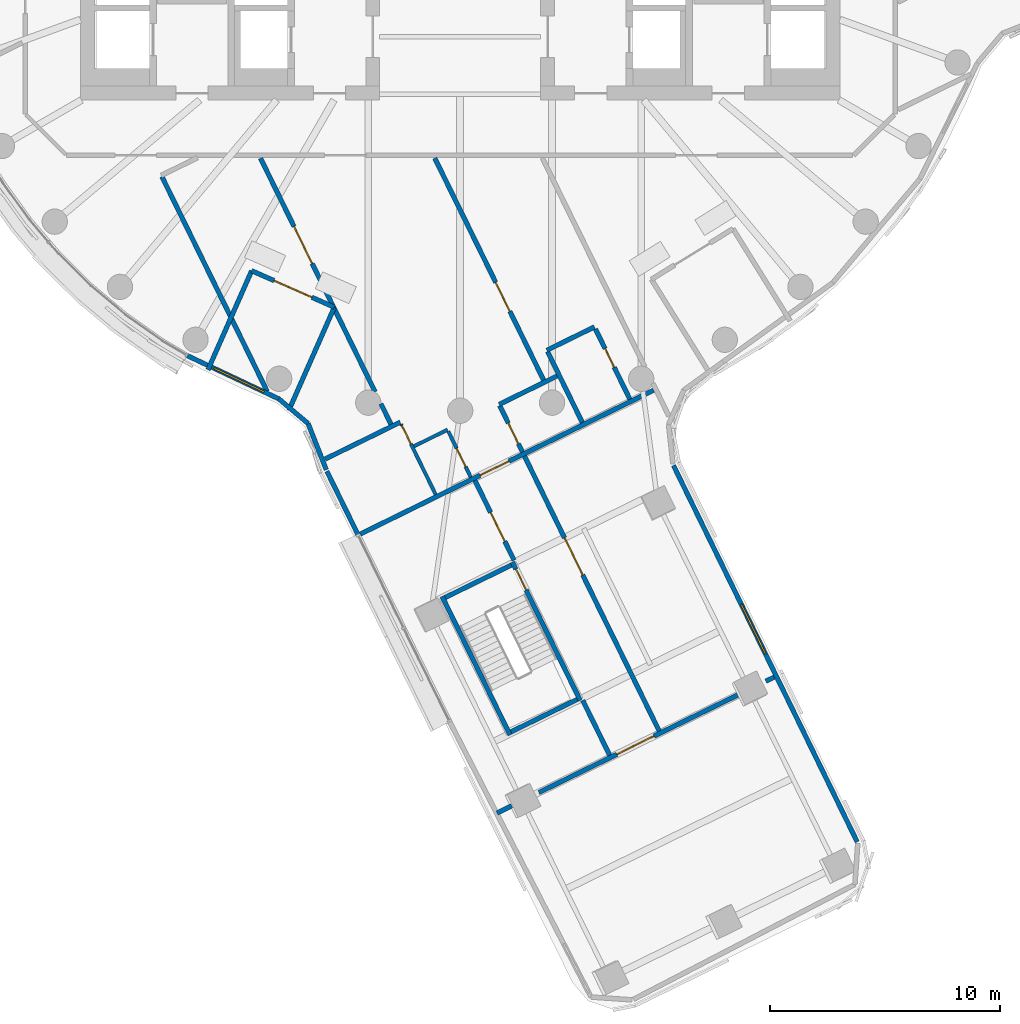
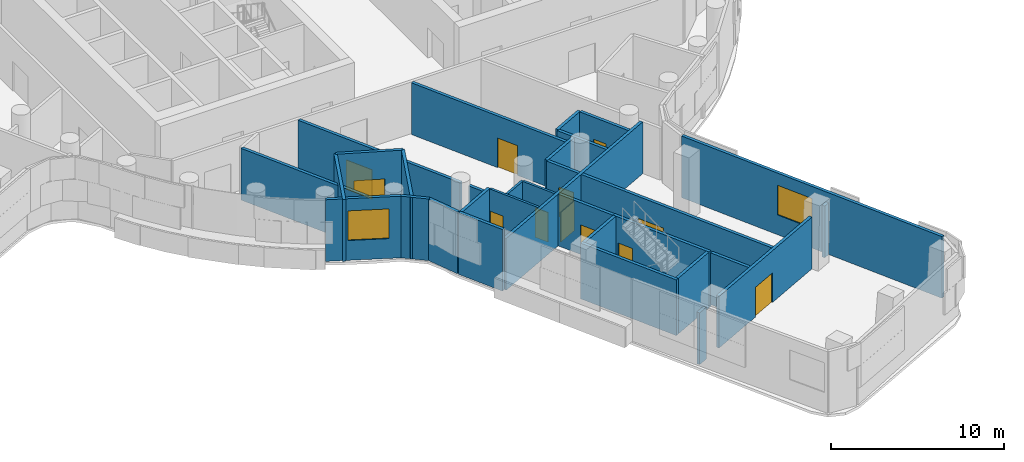
# One storey, part 10 of 23: 31 walls, 12 doors, 2 windows, 14 openings.
"""IFC4 building model written with IfcOpenShell, lengths in metres."""

from ifc_helpers import new_model, si_unit, direction, frame, frame_2d, origin, place, context, subcontext, project, spatial, polyline, rectangle, outline, extrude, material, layer, layer_set, type_object, element, fill, save


model = new_model("IFC4")

# Units and contexts
model_context = context("Model", 3, precision=1e-05, world=origin(), true_north=direction((0.0, 1.0)))
body_context = subcontext(model_context, "Body", "Model", "MODEL_VIEW")
ifc_project = project(units=[si_unit("LENGTHUNIT", "METRE"), si_unit("AREAUNIT", "SQUARE_METRE"), si_unit("VOLUMEUNIT", "CUBIC_METRE"), si_unit("PLANEANGLEUNIT", "RADIAN"), si_unit("MASSUNIT", "GRAM", prefix="KILO")], contexts=[model_context])

# Site, building, storey
site_placement = place(None, origin())
site = spatial("IfcSite", under=ifc_project, at=site_placement, CompositionType="ELEMENT")
building_placement = place(site_placement, origin())
building = spatial("IfcBuilding", under=site, at=building_placement, Name="Tamarind Cross Interchange Tower", CompositionType="ELEMENT")
storey_placement = place(building_placement, frame((0.0, 0.0, 128.5)))
storey = spatial("IfcBuildingStorey", under=building, at=storey_placement, Name="L31", CompositionType="ELEMENT", Elevation=128.5)

# Wall, opening, door
ifc_material_1 = material(Name="Concrete C40", Category="concrete")
ifc_layer_1 = layer(ifc_material_1, 0.199951171875)
ifc_layer_set_1 = layer_set([ifc_layer_1], Name="Concrete C40")
wall_type_1 = type_object("IfcWallType", Name="Balcony and garden door wall", PredefinedType="SOLIDWALL", material=ifc_layer_set_1)
wall_1_placement = place(storey_placement, frame((-9.061279296875, -16.91796875, 0.0), z_axis=(0.0, 0.0, 1.0), x_axis=(0.914869848832, -0.403748881978, 0.0)))
wall_1 = element("IfcWall", 1, at=wall_1_placement, inside=storey, type_object=wall_type_1, Name="EXW-L31-WG-L31-WS", PredefinedType="SOLIDWALL", context=body_context, shape_type="SweptSolid", body=[
    extrude(rectangle(XDim=3.9267578125, YDim=0.199951171875, at=frame_2d((1.96337890625, 0.0))), origin(), (0.0, 0.0, 1.0), 4.360107421875),
])
opening_1_placement = place(wall_1_placement, frame((1.0634765625, 0.0, 0.0)))
opening_1 = element("IfcOpeningElement", 2, at=opening_1_placement, cuts=wall_1, Name="Opening D5", PredefinedType="OPENING", context=body_context, shape_type="SweptSolid", body=[
    extrude(rectangle(XDim=1.800048828125, YDim=2.39990234375, at=frame_2d((0.89990234375, 1.199951171875))), frame((0.0, 0.10986328125, 0.0), z_axis=(0.0, -1.0, 0.0), x_axis=(1.0, 0.0, 0.0)), (0.0, 0.0, 1.0), 0.219970703125),
])
ifc_material_2 = material(Name="Aluminium and toughened glass", Category="aluminium")
door_type_1 = type_object("IfcDoorType", Name="Roof garden door", OperationType="DOUBLE_DOOR_SINGLE_SWING", PredefinedType="DOOR", material=ifc_material_2)
door_1_placement = place(opening_1_placement, origin())
door_1 = element("IfcDoor", 3, at=door_1_placement, inside=storey, type_object=door_type_1, Name="DOR-L31-WG-L31-WS", OperationType="SINGLE_SWING_LEFT", OverallHeight=2.39990234375, OverallWidth=1.800048828125, PredefinedType="DOOR", context=body_context, shape_type="SweptSolid", body=[
    extrude(rectangle(XDim=1.800048828125, YDim=2.39990234375, at=frame_2d((0.89990234375, 1.199951171875))), frame((0.0, 0.02490234375, 0.0), z_axis=(0.0, -1.0, 0.0), x_axis=(1.0, 0.0, 0.0)), (0.0, 0.0, 1.0), 0.050048828125),
])
fill(opening_1, door_1)

# Walls
wall_2_placement = place(storey_placement, frame((-9.0615234375, -16.91796875, 0.0), z_axis=(0.0, 0.0, 1.0), x_axis=(-0.403733506443, -0.914876634184, 0.0)))
element("IfcWall", 4, at=wall_2_placement, inside=storey, type_object=wall_type_1, Name="EXW-L31-WG-L31-WS-R0", PredefinedType="SOLIDWALL", context=body_context, shape_type="SweptSolid", body=[
    extrude(rectangle(XDim=4.702880859375, YDim=0.199951171875, at=frame_2d((2.3515625, 0.0))), origin(), (0.0, 0.0, 1.0), 4.360107421875),
])
wall_3_placement = place(storey_placement, frame((-5.468505859375, -18.50341796875, 0.0), z_axis=(0.0, 0.0, 1.0), x_axis=(-0.403691721509, -0.914895072664, 0.0)))
element("IfcWall", 5, at=wall_3_placement, inside=storey, type_object=wall_type_1, Name="EXW-L31-WG-L31-WS-R1", PredefinedType="SOLIDWALL", context=body_context, shape_type="SweptSolid", body=[
    extrude(rectangle(XDim=4.900390625, YDim=0.199951171875, at=frame_2d((2.4501953125, 0.0))), origin(), (0.0, 0.0, 1.0), 4.360107421875),
])

# Wall, opening, door
ifc_material_3 = material(Name="Gypsum board partition on steel studs", Category="steel")
ifc_layer_2 = layer(ifc_material_3, 0.14990234375)
ifc_layer_set_2 = layer_set([ifc_layer_2], Name="Gypsum board partition on steel studs")
wall_type_2 = type_object("IfcWallType", Name="Partition 150 mm EI 120", PredefinedType="PARTITIONING", material=ifc_layer_set_2)
wall_4_placement = place(storey_placement, frame((-2.56201171875, -23.58984375, 0.0), z_axis=(0.0, 0.0, 1.0), x_axis=(0.440221907821, -0.897889008661, 0.0)))
wall_4 = element("IfcWall", 6, at=wall_4_placement, inside=storey, type_object=wall_type_2, Name="Partition L31-015", PredefinedType="PARTITIONING", context=body_context, shape_type="SweptSolid", body=[
    extrude(rectangle(XDim=3.400634765625, YDim=0.14990234375, at=frame_2d((1.7001953125, 0.0))), origin(), (0.0, 0.0, 1.0), 3.659912109375),
])
opening_2_placement = place(wall_4_placement, frame((0.050048828125, 0.0, 0.0)))
opening_2 = element("IfcOpeningElement", 7, at=opening_2_placement, cuts=wall_4, Name="Opening D07", PredefinedType="OPENING", context=body_context, shape_type="SweptSolid", body=[
    extrude(rectangle(XDim=0.89990234375, YDim=2.10009765625, at=frame_2d((0.449951171875, 1.050048828125))), frame((0.0, 0.0849609375, 0.0), z_axis=(0.0, -1.0, 0.0), x_axis=(1.0, 0.0, 0.0)), (0.0, 0.0, 1.0), 0.169921875),
])
ifc_material_4 = material(Name="Fire-resisting door set")
door_type_2 = type_object("IfcDoorType", Name="Interior door 900 x 2100 FD60S", OperationType="SINGLE_SWING_LEFT", PredefinedType="DOOR", material=ifc_material_4)
door_2_placement = place(opening_2_placement, frame((0.89990234375, 0.0, 0.0), z_axis=(0.0, 0.0, 1.0), x_axis=(-1.0, 0.0, 0.0)))
door_2 = element("IfcDoor", 8, at=door_2_placement, inside=storey, type_object=door_type_2, Name="Door D07", OperationType="SINGLE_SWING_LEFT", OverallHeight=2.10009765625, OverallWidth=0.89990234375, PredefinedType="DOOR", context=body_context, shape_type="SweptSolid", body=[
    extrude(rectangle(XDim=0.89990234375, YDim=2.10009765625, at=frame_2d((0.449951171875, 1.050048828125))), frame((0.0, 0.02490234375, 0.0), z_axis=(0.0, -1.0, 0.0), x_axis=(1.0, 0.0, 0.0)), (0.0, 0.0, 1.0), 0.050048828125),
])
fill(opening_2, door_2)

wall_5_placement = place(storey_placement, frame((-0.51806640625, -23.896240234375, 0.0), z_axis=(0.0, 0.0, 1.0), x_axis=(0.440354919773, -0.897823782616, 0.0)))
wall_5 = element("IfcWall", 9, at=wall_5_placement, inside=storey, type_object=wall_type_2, Name="Partition L31-017", PredefinedType="PARTITIONING", context=body_context, shape_type="SweptSolid", body=[
    extrude(rectangle(XDim=2.225341796875, YDim=0.14990234375, at=frame_2d((1.11279296875, 0.0))), origin(), (0.0, 0.0, 1.0), 3.659912109375),
])
opening_3_placement = place(wall_5_placement, frame((0.824951171875, 0.0, 0.0)))
opening_3 = element("IfcOpeningElement", 10, at=opening_3_placement, cuts=wall_5, Name="Opening D09", PredefinedType="OPENING", context=body_context, shape_type="SweptSolid", body=[
    extrude(rectangle(XDim=0.89990234375, YDim=2.10009765625, at=frame_2d((0.449951171875, 1.050048828125))), frame((0.0, 0.0849609375, 0.0), z_axis=(0.0, -1.0, 0.0), x_axis=(1.0, 0.0, 0.0)), (0.0, 0.0, 1.0), 0.169921875),
])
door_3_placement = place(opening_3_placement, frame((0.89990234375, 0.0, 0.0), z_axis=(0.0, 0.0, 1.0), x_axis=(-1.0, 0.0, 0.0)))
door_3 = element("IfcDoor", 11, at=door_3_placement, inside=storey, type_object=door_type_2, Name="Door D09", OperationType="SINGLE_SWING_RIGHT", OverallHeight=2.10009765625, OverallWidth=0.89990234375, PredefinedType="DOOR", context=body_context, shape_type="SweptSolid", body=[
    extrude(rectangle(XDim=0.89990234375, YDim=2.10009765625, at=frame_2d((0.449951171875, 1.050048828125))), frame((0.0, 0.02490234375, 0.0), z_axis=(0.0, -1.0, 0.0), x_axis=(1.0, 0.0, 0.0)), (0.0, 0.0, 1.0), 0.050048828125),
])
fill(opening_3, door_3)

# Walls
wall_6_placement = place(storey_placement, frame((-2.009765625, -24.544921875, 0.0), z_axis=(0.0, 0.0, 1.0), x_axis=(0.897737840771, 0.440530100275, 0.0)))
element("IfcWall", 12, at=wall_6_placement, inside=storey, type_object=wall_type_2, Name="Partition L31-054", PredefinedType="PARTITIONING", context=body_context, shape_type="SweptSolid", body=[
    extrude(rectangle(XDim=1.625, YDim=0.14990234375, at=frame_2d((0.8125, 0.0))), origin(), (0.0, 0.0, 1.0), 3.659912109375),
])
ifc_layer_3 = layer(ifc_material_3, 0.199951171875)
ifc_layer_set_3 = layer_set([ifc_layer_3], Name="Gypsum board partition on steel studs")
wall_type_3 = type_object("IfcWallType", Name="Partition 200 mm EI 180", PredefinedType="PARTITIONING", material=ifc_layer_set_3)
wall_7_placement = place(storey_placement, frame((-12.960693359375, -12.829833984375, 0.0), z_axis=(0.0, 0.0, 1.0), x_axis=(0.44020582269, -0.897896894788, 0.0)))
element("IfcWall", 13, at=wall_7_placement, inside=storey, type_object=wall_type_3, Name="Partition L31-005", PredefinedType="PARTITIONING", context=body_context, shape_type="SweptSolid", body=[
    extrude(rectangle(XDim=10.402099609375, YDim=0.199951171875, at=frame_2d((5.201171875, 0.0))), origin(), (0.0, 0.0, 1.0), 3.659912109375),
])

# Wall, opening, door
wall_8_placement = place(storey_placement, frame((-8.677490234375, -12.025634765625, 0.0), z_axis=(0.0, 0.0, 1.0), x_axis=(0.440258895861, -0.897870873018, 0.0)))
wall_8 = element("IfcWall", 14, at=wall_8_placement, inside=storey, type_object=wall_type_3, Name="Partition L31-008", PredefinedType="PARTITIONING", context=body_context, shape_type="SweptSolid", body=[
    extrude(rectangle(XDim=11.3115234375, YDim=0.199951171875, at=frame_2d((5.65576171875, 0.0))), origin(), (0.0, 0.0, 1.0), 3.659912109375),
])
opening_4_placement = place(wall_8_placement, frame((3.31005859375, 0.0, 0.0)))
opening_4 = element("IfcOpeningElement", 15, at=opening_4_placement, cuts=wall_8, Name="Opening D03", PredefinedType="OPENING", context=body_context, shape_type="SweptSolid", body=[
    extrude(rectangle(XDim=1.800048828125, YDim=2.10009765625, at=frame_2d((0.89990234375, 1.050048828125))), frame((0.0, 0.10986328125, 0.0), z_axis=(0.0, -1.0, 0.0), x_axis=(1.0, 0.0, 0.0)), (0.0, 0.0, 1.0), 0.219970703125),
])
door_type_3 = type_object("IfcDoorType", Name="Interior door 1800 x 2100 FD120S", OperationType="DOUBLE_DOOR_SINGLE_SWING", PredefinedType="DOOR", material=ifc_material_4)
door_4_placement = place(opening_4_placement, frame((1.800048828125, 0.0, 0.0), z_axis=(0.0, 0.0, 1.0), x_axis=(-1.0, 0.0, 0.0)))
door_4 = element("IfcDoor", 16, at=door_4_placement, inside=storey, type_object=door_type_3, Name="Door D03", OperationType="DOUBLE_DOOR_SINGLE_SWING", OverallHeight=2.10009765625, OverallWidth=1.800048828125, PredefinedType="DOOR", context=body_context, shape_type="SweptSolid", body=[
    extrude(rectangle(XDim=1.800048828125, YDim=2.10009765625, at=frame_2d((0.89990234375, 1.050048828125))), frame((0.0, 0.02490234375, 0.0), z_axis=(0.0, -1.0, 0.0), x_axis=(1.0, 0.0, 0.0)), (0.0, 0.0, 1.0), 0.050048828125),
])
fill(opening_4, door_4)

# Wall
wall_9_placement = place(storey_placement, frame((-3.44580078125, -22.6953125, 0.0), z_axis=(0.0, 0.0, 1.0), x_axis=(0.440211677145, -0.89789402454, 0.0)))
element("IfcWall", 17, at=wall_9_placement, inside=storey, type_object=wall_type_3, Name="Partition L31-009", PredefinedType="PARTITIONING", context=body_context, shape_type="SweptSolid", body=[
    extrude(rectangle(XDim=0.9921875, YDim=0.199951171875, at=frame_2d((0.49609375, 0.0))), origin(), (0.0, 0.0, 1.0), 3.659912109375),
])

# Wall, opening, door
wall_10_placement = place(storey_placement, frame((-1.1044921875, -12.025634765625, 0.0), z_axis=(0.0, 0.0, 1.0), x_axis=(0.44028770211, -0.897856747689, 0.0)))
wall_10 = element("IfcWall", 18, at=wall_10_placement, inside=storey, type_object=wall_type_3, Name="Partition L31-016", PredefinedType="PARTITIONING", context=body_context, shape_type="SweptSolid", body=[
    extrude(rectangle(XDim=10.73681640625, YDim=0.199951171875, at=frame_2d((5.368408203125, 0.0))), origin(), (0.0, 0.0, 1.0), 3.659912109375),
])
opening_5_placement = place(wall_10_placement, frame((6.010009765625, 0.0, 0.0)))
opening_5 = element("IfcOpeningElement", 19, at=opening_5_placement, cuts=wall_10, Name="Opening D08", PredefinedType="OPENING", context=body_context, shape_type="SweptSolid", body=[
    extrude(rectangle(XDim=1.39990234375, YDim=2.10009765625, at=frame_2d((0.699951171875, 1.050048828125))), frame((0.0, 0.10986328125, 0.0), z_axis=(0.0, -1.0, 0.0), x_axis=(1.0, 0.0, 0.0)), (0.0, 0.0, 1.0), 0.219970703125),
])
door_type_4 = type_object("IfcDoorType", Name="Interior door 1400 x 2100 FD120S", OperationType="DOUBLE_DOOR_SINGLE_SWING", PredefinedType="DOOR", material=ifc_material_4)
door_5_placement = place(opening_5_placement, origin())
door_5 = element("IfcDoor", 20, at=door_5_placement, inside=storey, type_object=door_type_4, Name="Door D08", OperationType="DOUBLE_DOOR_SINGLE_SWING", OverallHeight=2.10009765625, OverallWidth=1.39990234375, PredefinedType="DOOR", context=body_context, shape_type="SweptSolid", body=[
    extrude(rectangle(XDim=1.39990234375, YDim=2.10009765625, at=frame_2d((0.699951171875, 1.050048828125))), frame((0.0, 0.02490234375, 0.0), z_axis=(0.0, -1.0, 0.0), x_axis=(1.0, 0.0, 0.0)), (0.0, 0.0, 1.0), 0.050048828125),
])
fill(opening_5, door_5)

wall_11_placement = place(storey_placement, frame((0.639892578125, -26.02978515625, 0.0), z_axis=(0.0, 0.0, 1.0), x_axis=(0.440242212753, -0.897879053164, 0.0)))
wall_11 = element("IfcWall", 21, at=wall_11_placement, inside=storey, type_object=wall_type_3, Name="Partition L31-018", PredefinedType="PARTITIONING", context=body_context, shape_type="SweptSolid", body=[
    extrude(rectangle(XDim=3.859619140625, YDim=0.199951171875, at=frame_2d((1.9296875, 0.0))), origin(), (0.0, 0.0, 1.0), 3.659912109375),
])
opening_6_placement = place(wall_11_placement, frame((1.550048828125, 0.0, 0.0)))
opening_6 = element("IfcOpeningElement", 22, at=opening_6_placement, cuts=wall_11, Name="Opening D10", PredefinedType="OPENING", context=body_context, shape_type="SweptSolid", body=[
    extrude(rectangle(XDim=1.39990234375, YDim=2.10009765625, at=frame_2d((0.699951171875, 1.050048828125))), frame((0.0, 0.10986328125, 0.0), z_axis=(0.0, -1.0, 0.0), x_axis=(1.0, 0.0, 0.0)), (0.0, 0.0, 1.0), 0.219970703125),
])
door_6_placement = place(opening_6_placement, frame((1.39990234375, 0.0, 0.0), z_axis=(0.0, 0.0, 1.0), x_axis=(-1.0, 0.0, 0.0)))
door_6 = element("IfcDoor", 23, at=door_6_placement, inside=storey, type_object=door_type_4, Name="Door D10", OperationType="DOUBLE_DOOR_SINGLE_SWING", OverallHeight=2.10009765625, OverallWidth=1.39990234375, PredefinedType="DOOR", context=body_context, shape_type="SweptSolid", body=[
    extrude(rectangle(XDim=1.39990234375, YDim=2.10009765625, at=frame_2d((0.699951171875, 1.050048828125))), frame((0.0, 0.02490234375, 0.0), z_axis=(0.0, -1.0, 0.0), x_axis=(1.0, 0.0, 0.0)), (0.0, 0.0, 1.0), 0.050048828125),
])
fill(opening_6, door_6)

# Wall
wall_12_placement = place(storey_placement, frame((5.323974609375, -35.58349609375, 0.0), z_axis=(0.0, 0.0, 1.0), x_axis=(0.440225403927, -0.897887294563, 0.0)))
element("IfcWall", 24, at=wall_12_placement, inside=storey, type_object=wall_type_3, Name="Partition L31-019", PredefinedType="PARTITIONING", context=body_context, shape_type="SweptSolid", body=[
    extrude(rectangle(XDim=2.660400390625, YDim=0.199951171875, at=frame_2d((1.330078125, 0.0))), origin(), (0.0, 0.0, 1.0), 3.659912109375),
])

# Wall, openings, doors
wall_13_placement = place(storey_placement, frame((1.720458984375, -22.782958984375, 0.0), z_axis=(0.0, 0.0, 1.0), x_axis=(0.440033133993, -0.897981537109, 0.0)))
wall_13 = element("IfcWall", 25, at=wall_13_placement, inside=storey, type_object=wall_type_3, Name="Partition L31-022", PredefinedType="PARTITIONING", context=body_context, shape_type="SweptSolid", body=[
    extrude(rectangle(XDim=15.73974609375, YDim=0.199951171875, at=frame_2d((7.869873046875, 0.0))), origin(), (0.0, 0.0, 1.0), 3.659912109375),
])
opening_7_placement = place(wall_13_placement, frame((0.840087890625, 0.0, 0.0)))
opening_7 = element("IfcOpeningElement", 26, at=opening_7_placement, cuts=wall_13, Name="Opening D12", PredefinedType="OPENING", context=body_context, shape_type="SweptSolid", body=[
    extrude(rectangle(XDim=1.0, YDim=2.10009765625, at=frame_2d((0.5, 1.050048828125))), frame((0.0, 0.10986328125, 0.0), z_axis=(0.0, -1.0, 0.0), x_axis=(1.0, 0.0, 0.0)), (0.0, 0.0, 1.0), 0.219970703125),
])
opening_8_placement = place(wall_13_placement, frame((6.389892578125, 0.0, 0.0)))
opening_8 = element("IfcOpeningElement", 27, at=opening_8_placement, cuts=wall_13, Name="Opening D13", PredefinedType="OPENING", context=body_context, shape_type="SweptSolid", body=[
    extrude(rectangle(XDim=1.800048828125, YDim=2.10009765625, at=frame_2d((0.89990234375, 1.050048828125))), frame((0.0, 0.10986328125, 0.0), z_axis=(0.0, -1.0, 0.0), x_axis=(1.0, 0.0, 0.0)), (0.0, 0.0, 1.0), 0.219970703125),
])
door_type_5 = type_object("IfcDoorType", Name="Interior door 1000 x 2100 FD120S", OperationType="SINGLE_SWING_LEFT", PredefinedType="DOOR", material=ifc_material_4)
door_7_placement = place(opening_7_placement, origin())
door_7 = element("IfcDoor", 28, at=door_7_placement, inside=storey, type_object=door_type_5, Name="Door D12", OperationType="SINGLE_SWING_RIGHT", OverallHeight=2.10009765625, OverallWidth=1.0, PredefinedType="DOOR", context=body_context, shape_type="SweptSolid", body=[
    extrude(rectangle(XDim=1.0, YDim=2.10009765625, at=frame_2d((0.5, 1.050048828125))), frame((0.0, 0.02490234375, 0.0), z_axis=(0.0, -1.0, 0.0), x_axis=(1.0, 0.0, 0.0)), (0.0, 0.0, 1.0), 0.050048828125),
])
fill(opening_7, door_7)
door_8_placement = place(opening_8_placement, origin())
door_8 = element("IfcDoor", 29, at=door_8_placement, inside=storey, type_object=door_type_3, Name="Door D13", OperationType="DOUBLE_DOOR_SINGLE_SWING", OverallHeight=2.10009765625, OverallWidth=1.800048828125, PredefinedType="DOOR", context=body_context, shape_type="SweptSolid", body=[
    extrude(rectangle(XDim=1.800048828125, YDim=2.10009765625, at=frame_2d((0.89990234375, 1.050048828125))), frame((0.0, 0.02490234375, 0.0), z_axis=(0.0, -1.0, 0.0), x_axis=(1.0, 0.0, 0.0)), (0.0, 0.0, 1.0), 0.050048828125),
])
fill(opening_8, door_8)

# Wall
wall_14_placement = place(storey_placement, frame((3.79541015625, -20.428955078125, 0.0), z_axis=(0.0, 0.0, 1.0), x_axis=(0.440215566353, -0.897892117763, 0.0)))
element("IfcWall", 30, at=wall_14_placement, inside=storey, type_object=wall_type_3, Name="Partition L31-025", PredefinedType="PARTITIONING", context=body_context, shape_type="SweptSolid", body=[
    extrude(rectangle(XDim=3.439697265625, YDim=0.199951171875, at=frame_2d((1.7197265625, 0.0))), origin(), (0.0, 0.0, 1.0), 3.659912109375),
])

# Wall, opening, door
wall_15_placement = place(storey_placement, frame((5.8779296875, -19.451904296875, 0.0), z_axis=(0.0, 0.0, 1.0), x_axis=(0.440363832192, -0.897819411295, 0.0)))
wall_15 = element("IfcWall", 31, at=wall_15_placement, inside=storey, type_object=wall_type_3, Name="Partition L31-026", PredefinedType="PARTITIONING", context=body_context, shape_type="SweptSolid", body=[
    extrude(rectangle(XDim=3.399658203125, YDim=0.199951171875, at=frame_2d((1.69970703125, 0.0))), origin(), (0.0, 0.0, 1.0), 3.659912109375),
])
opening_9_placement = place(wall_15_placement, frame((0.949951171875, 0.0, 0.0)))
opening_9 = element("IfcOpeningElement", 32, at=opening_9_placement, cuts=wall_15, Name="Opening D14", PredefinedType="OPENING", context=body_context, shape_type="SweptSolid", body=[
    extrude(rectangle(XDim=0.89990234375, YDim=2.10009765625, at=frame_2d((0.449951171875, 1.050048828125))), frame((0.0, 0.10986328125, 0.0), z_axis=(0.0, -1.0, 0.0), x_axis=(1.0, 0.0, 0.0)), (0.0, 0.0, 1.0), 0.219970703125),
])
door_type_6 = type_object("IfcDoorType", Name="Interior door 900 x 2100 FD120S", OperationType="SINGLE_SWING_LEFT", PredefinedType="DOOR", material=ifc_material_4)
door_9_placement = place(opening_9_placement, frame((0.89990234375, 0.0, 0.0), z_axis=(0.0, 0.0, 1.0), x_axis=(-1.0, 0.0, 0.0)))
door_9 = element("IfcDoor", 33, at=door_9_placement, inside=storey, type_object=door_type_6, Name="Door D14", OperationType="SINGLE_SWING_LEFT", OverallHeight=2.10009765625, OverallWidth=0.89990234375, PredefinedType="DOOR", context=body_context, shape_type="SweptSolid", body=[
    extrude(rectangle(XDim=0.89990234375, YDim=2.10009765625, at=frame_2d((0.449951171875, 1.050048828125))), frame((0.0, 0.02490234375, 0.0), z_axis=(0.0, -1.0, 0.0), x_axis=(1.0, 0.0, 0.0)), (0.0, 0.0, 1.0), 0.050048828125),
])
fill(opening_9, door_9)

# Walls
wall_16_placement = place(storey_placement, frame((-5.8701171875, -25.1015625, 0.0), z_axis=(0.0, 0.0, 1.0), x_axis=(0.897759350726, 0.440486263333, 0.0)))
element("IfcWall", 34, at=wall_16_placement, inside=storey, type_object=wall_type_3, Name="Partition L31-051", PredefinedType="PARTITIONING", context=body_context, shape_type="SweptSolid", body=[
    extrude(rectangle(XDim=3.635986328125, YDim=0.199951171875, at=frame_2d((1.81787109375, 0.0))), origin(), (0.0, 0.0, 1.0), 3.659912109375),
])
wall_17_placement = place(storey_placement, frame((3.767822265625, -20.37255859375, 0.0), z_axis=(0.0, 0.0, 1.0), x_axis=(0.897798121092, 0.440407236275, 0.0)))
element("IfcWall", 35, at=wall_17_placement, inside=storey, type_object=wall_type_3, Name="Partition L31-052", PredefinedType="PARTITIONING", context=body_context, shape_type="SweptSolid", body=[
    extrude(rectangle(XDim=2.300048828125, YDim=0.199951171875, at=frame_2d((1.14990234375, 0.0))), origin(), (0.0, 0.0, 1.0), 3.659912109375),
])

# Wall, opening, door
wall_18_placement = place(storey_placement, frame((-4.341796875, -28.361328125, 0.0), z_axis=(0.0, 0.0, 1.0), x_axis=(0.89785648862, 0.440288230416, 0.0)))
wall_18 = element("IfcWall", 36, at=wall_18_placement, inside=storey, type_object=wall_type_3, Name="Partition L31-053", PredefinedType="PARTITIONING", context=body_context, shape_type="SweptSolid", body=[
    extrude(rectangle(XDim=14.19921875, YDim=0.199951171875, at=frame_2d((7.099609375, 0.0))), origin(), (0.0, 0.0, 1.0), 3.659912109375),
])
opening_10_placement = place(wall_18_placement, frame((5.799560546875, 0.0, 0.0)))
opening_10 = element("IfcOpeningElement", 37, at=opening_10_placement, cuts=wall_18, Name="Opening D28", PredefinedType="OPENING", context=body_context, shape_type="SweptSolid", body=[
    extrude(rectangle(XDim=1.39990234375, YDim=2.10009765625, at=frame_2d((0.699951171875, 1.050048828125))), frame((0.0, 0.10986328125, 0.0), z_axis=(0.0, -1.0, 0.0), x_axis=(1.0, 0.0, 0.0)), (0.0, 0.0, 1.0), 0.219970703125),
])
door_10_placement = place(opening_10_placement, origin())
door_10 = element("IfcDoor", 38, at=door_10_placement, inside=storey, type_object=door_type_4, Name="Door D28", OperationType="DOUBLE_DOOR_SINGLE_SWING", OverallHeight=2.10009765625, OverallWidth=1.39990234375, PredefinedType="DOOR", context=body_context, shape_type="SweptSolid", body=[
    extrude(rectangle(XDim=1.39990234375, YDim=2.10009765625, at=frame_2d((0.699951171875, 1.050048828125))), frame((0.0, 0.02490234375, 0.0), z_axis=(0.0, -1.0, 0.0), x_axis=(1.0, 0.0, 0.0)), (0.0, 0.0, 1.0), 0.050048828125),
])
fill(opening_10, door_10)

# Walls
wall_19_placement = place(storey_placement, frame((1.693115234375, -22.7275390625, 0.0), z_axis=(0.0, 0.0, 1.0), x_axis=(0.897682035741, 0.440643804799, 0.0)))
element("IfcWall", 39, at=wall_19_placement, inside=storey, type_object=wall_type_3, Name="Partition L31-055", PredefinedType="PARTITIONING", context=body_context, shape_type="SweptSolid", body=[
    extrude(rectangle(XDim=2.799560546875, YDim=0.199951171875, at=frame_2d((1.39990234375, 0.0))), origin(), (0.0, 0.0, 1.0), 3.659912109375),
])
wall_20_placement = place(storey_placement, frame((1.6015625, -40.482666015625, 0.0), z_axis=(0.0, 0.0, 1.0), x_axis=(0.897920722727, 0.440157217023, 0.0)))
element("IfcWall", 40, at=wall_20_placement, inside=storey, type_object=wall_type_3, Name="Partition L31-056", PredefinedType="PARTITIONING", context=body_context, shape_type="SweptSolid", body=[
    extrude(rectangle(XDim=0.707275390625, YDim=0.199951171875, at=frame_2d((0.353515625, 0.0))), origin(), (0.0, 0.0, 1.0), 3.659912109375),
])

# Wall, opening, door
wall_21_placement = place(storey_placement, frame((3.41943359375, -39.59130859375, 0.0), z_axis=(0.0, 0.0, 1.0), x_axis=(0.897880786988, 0.440238676581, 0.0)))
wall_21 = element("IfcWall", 41, at=wall_21_placement, inside=storey, type_object=wall_type_3, Name="Partition L31-057", PredefinedType="PARTITIONING", context=body_context, shape_type="SweptSolid", body=[
    extrude(rectangle(XDim=9.66552734375, YDim=0.199951171875, at=frame_2d((4.832763671875, 0.0))), origin(), (0.0, 0.0, 1.0), 3.659912109375),
])
opening_11_placement = place(wall_21_placement, frame((3.7744140625, 0.0, 0.0)))
opening_11 = element("IfcOpeningElement", 42, at=opening_11_placement, cuts=wall_21, Name="Opening D29", PredefinedType="OPENING", context=body_context, shape_type="SweptSolid", body=[
    extrude(rectangle(XDim=1.800048828125, YDim=2.10009765625, at=frame_2d((0.89990234375, 1.050048828125))), frame((0.0, 0.10986328125, 0.0), z_axis=(0.0, -1.0, 0.0), x_axis=(1.0, 0.0, 0.0)), (0.0, 0.0, 1.0), 0.219970703125),
])
door_11_placement = place(opening_11_placement, frame((1.800048828125, 0.0, 0.0), z_axis=(0.0, 0.0, 1.0), x_axis=(-1.0, 0.0, 0.0)))
door_11 = element("IfcDoor", 43, at=door_11_placement, inside=storey, type_object=door_type_3, Name="Door D29", OperationType="DOUBLE_DOOR_SINGLE_SWING", OverallHeight=2.10009765625, OverallWidth=1.800048828125, PredefinedType="DOOR", context=body_context, shape_type="SweptSolid", body=[
    extrude(rectangle(XDim=1.800048828125, YDim=2.10009765625, at=frame_2d((0.89990234375, 1.050048828125))), frame((0.0, 0.02490234375, 0.0), z_axis=(0.0, -1.0, 0.0), x_axis=(1.0, 0.0, 0.0)), (0.0, 0.0, 1.0), 0.050048828125),
])
fill(opening_11, door_11)

# Wall
wall_22_placement = place(storey_placement, frame((13.279052734375, -34.7568359375, 0.0), z_axis=(0.0, 0.0, 1.0), x_axis=(0.897995038832, 0.440005579775, 0.0)))
element("IfcWall", 44, at=wall_22_placement, inside=storey, type_object=wall_type_3, Name="Partition L31-058", PredefinedType="PARTITIONING", context=body_context, shape_type="SweptSolid", body=[
    extrude(rectangle(XDim=0.4072265625, YDim=0.199951171875, at=frame_2d((0.20361328125, 0.0))), origin(), (0.0, 0.0, 1.0), 3.659912109375),
])

# Wall, opening, window
ifc_material_5 = material(Name="Precast concrete C40", Category="concrete")
ifc_layer_4 = layer(ifc_material_5, 0.199951171875)
ifc_layer_set_4 = layer_set([ifc_layer_4], Name="Precast concrete C40")
wall_type_4 = type_object("IfcWallType", Name="Refuge level external wall", PredefinedType="SOLIDWALL", material=ifc_layer_set_4)
wall_23_placement = place(storey_placement, frame((-11.864501953125, -20.605224609375, 0.0), z_axis=(0.0, 0.0, 1.0), x_axis=(0.904385974053, -0.426715373448, 0.0)))
wall_23 = element("IfcWall", 45, at=wall_23_placement, inside=storey, type_object=wall_type_4, Name="RFW-L31-02-10", PredefinedType="SOLIDWALL", context=body_context, shape_type="SweptSolid", body=[
    extrude(rectangle(XDim=4.403076171875, YDim=0.199951171875, at=frame_2d((2.20166015625, 0.0))), origin(), (0.0, 0.0, 1.0), 4.360107421875),
])
opening_12_placement = place(wall_23_placement, frame((1.2900390625, 0.0, 1.39990234375)))
opening_12 = element("IfcOpeningElement", 46, at=opening_12_placement, cuts=wall_23, Name="Opening W3", PredefinedType="OPENING", context=body_context, shape_type="SweptSolid", body=[
    extrude(rectangle(XDim=2.39990234375, YDim=2.10009765625, at=frame_2d((1.199951171875, 1.050048828125))), frame((0.0, 0.10986328125, 0.0), z_axis=(0.0, -1.0, 0.0), x_axis=(1.0, 0.0, 0.0)), (0.0, 0.0, 1.0), 0.219970703125),
])
ifc_material_6 = material(Name="Aluminium and fire-resisting glass", Category="aluminium")
window_type = type_object("IfcWindowType", Name="Refuge rescue window", PartitioningType="DOUBLE_PANEL_VERTICAL", PredefinedType="WINDOW", material=ifc_material_6)
window_1_placement = place(opening_12_placement, origin())
window_1 = element("IfcWindow", 47, at=window_1_placement, inside=storey, type_object=window_type, Name="RSW-L31-02-03", OverallHeight=2.10009765625, OverallWidth=2.39990234375, PartitioningType="SINGLE_PANEL", PredefinedType="WINDOW", context=body_context, shape_type="SweptSolid", body=[
    extrude(rectangle(XDim=2.39990234375, YDim=2.10009765625, at=frame_2d((1.199951171875, 1.050048828125))), frame((0.0, 0.030029296875, 0.0), z_axis=(0.0, -1.0, 0.0), x_axis=(1.0, 0.0, 0.0)), (0.0, 0.0, 1.0), 0.06005859375),
])
fill(opening_12, window_1)

# Walls
wall_24_placement = place(storey_placement, frame((-7.88232421875, -22.484130859375, 0.0), z_axis=(0.0, 0.0, 1.0), x_axis=(0.765040402091, -0.643982284825, 0.0)))
element("IfcWall", 48, at=wall_24_placement, inside=storey, type_object=wall_type_4, Name="RFW-L31-02-11", PredefinedType="SOLIDWALL", context=body_context, shape_type="SweptSolid", body=[
    extrude(rectangle(XDim=1.665771484375, YDim=0.199951171875, at=frame_2d((0.8330078125, 0.0))), origin(), (0.0, 0.0, 1.0), 4.360107421875),
])
wall_25_placement = place(storey_placement, frame((-6.60791015625, -23.556884765625, 0.0), z_axis=(0.0, 0.0, 1.0), x_axis=(0.364931951145, -0.931034194342, 0.0)))
element("IfcWall", 49, at=wall_25_placement, inside=storey, type_object=wall_type_4, Name="RFW-L31-02-12", PredefinedType="SOLIDWALL", context=body_context, shape_type="SweptSolid", body=[
    extrude(rectangle(XDim=2.16015625, YDim=0.199951171875, at=frame_2d((1.080078125, 0.0))), origin(), (0.0, 0.0, 1.0), 4.360107421875),
])
wall_26_placement = place(storey_placement, frame((-5.79248046875, -25.63232421875, 0.0), z_axis=(0.0, 0.0, 1.0), x_axis=(0.440299885466, -0.897850773157, 0.0)))
element("IfcWall", 50, at=wall_26_placement, inside=storey, type_object=wall_type_4, Name="RFW-L31-03-00", PredefinedType="SOLIDWALL", context=body_context, shape_type="SweptSolid", body=[
    extrude(rectangle(XDim=3.056884765625, YDim=0.199951171875, at=frame_2d((1.5283203125, 0.0))), origin(), (0.0, 0.0, 1.0), 4.360107421875),
])

# Wall, opening, window
wall_27_placement = place(storey_placement, frame((17.250244140625, -41.735107421875, 0.0), z_axis=(0.0, 0.0, 1.0), x_axis=(-0.43857585016, 0.898694176935, 0.0)))
wall_27 = element("IfcWall", 51, at=wall_27_placement, inside=storey, type_object=wall_type_4, Name="RFW-L31-05-00", PredefinedType="SOLIDWALL", context=body_context, shape_type="SweptSolid", body=[
    extrude(rectangle(XDim=18.20068359375, YDim=0.199951171875, at=frame_2d((9.100341796875, 0.0))), origin(), (0.0, 0.0, 1.0), 4.360107421875),
])
opening_13_placement = place(wall_27_placement, frame((9.090576171875, 0.0, 1.39990234375)))
opening_13 = element("IfcOpeningElement", 52, at=opening_13_placement, cuts=wall_27, Name="Opening W3", PredefinedType="OPENING", context=body_context, shape_type="SweptSolid", body=[
    extrude(rectangle(XDim=2.39990234375, YDim=2.10009765625, at=frame_2d((1.199951171875, 1.050048828125))), frame((0.0, 0.10986328125, 0.0), z_axis=(0.0, -1.0, 0.0), x_axis=(1.0, 0.0, 0.0)), (0.0, 0.0, 1.0), 0.219970703125),
])
window_2_placement = place(opening_13_placement, origin())
window_2 = element("IfcWindow", 53, at=window_2_placement, inside=storey, type_object=window_type, Name="RSW-L31-05-02", OverallHeight=2.10009765625, OverallWidth=2.39990234375, PartitioningType="SINGLE_PANEL", PredefinedType="WINDOW", context=body_context, shape_type="SweptSolid", body=[
    extrude(rectangle(XDim=2.39990234375, YDim=2.10009765625, at=frame_2d((1.199951171875, 1.050048828125))), frame((0.0, 0.030029296875, 0.0), z_axis=(0.0, -1.0, 0.0), x_axis=(1.0, 0.0, 0.0)), (0.0, 0.0, 1.0), 0.06005859375),
])
fill(opening_13, window_2)

# Wall, opening, door
ifc_layer_5 = layer(ifc_material_1, 0.199951171875)
ifc_layer_set_5 = layer_set([ifc_layer_5], Name="Concrete C40")
wall_type_5 = type_object("IfcWallType", Name="Stair shaft wall 200 mm Concrete C40", PredefinedType="SHEAR", material=ifc_layer_set_5)
wall_28_placement = place(storey_placement, frame((2.2666015625, -29.57568359375, -0.179931640625), z_axis=(0.0, 0.0, 1.0), x_axis=(0.440247655443, -0.897876384519, 0.0)))
wall_28 = element("IfcWall", 54, at=wall_28_placement, inside=storey, type_object=wall_type_5, Name="Core wall CWL-L31-ST6-H", PredefinedType="SHEAR", context=body_context, shape_type="SweptSolid", body=[
    extrude(rectangle(XDim=6.7001953125, YDim=0.199951171875, at=frame_2d((3.35009765625, 0.0))), origin(), (0.0, 0.0, 1.0), 3.93994140625),
])
opening_14_placement = place(wall_28_placement, frame((0.35009765625, 0.0, 0.0)))
opening_14 = element("IfcOpeningElement", 55, at=opening_14_placement, cuts=wall_28, Name="Opening ST6L31", PredefinedType="OPENING", context=body_context, shape_type="SweptSolid", body=[
    extrude(rectangle(XDim=1.0, YDim=2.10009765625, at=frame_2d((0.5, 1.050048828125))), frame((0.0, 0.10986328125, 0.0), z_axis=(0.0, -1.0, 0.0), x_axis=(1.0, 0.0, 0.0)), (0.0, 0.0, 1.0), 0.219970703125),
])
ifc_material_7 = material(Name="Steel, fire-resisting", Category="steel")
door_type_7 = type_object("IfcDoorType", Name="Core fire door 1000 x 2100 FD90", OperationType="SINGLE_SWING_LEFT", PredefinedType="DOOR", material=ifc_material_7)
door_12_placement = place(opening_14_placement, origin())
door_12 = element("IfcDoor", 56, at=door_12_placement, inside=storey, type_object=door_type_7, Name="L31 stair door ST6", OperationType="SINGLE_SWING_LEFT", OverallHeight=2.10009765625, OverallWidth=1.0, PredefinedType="DOOR", context=body_context, shape_type="SweptSolid", body=[
    extrude(rectangle(XDim=1.0, YDim=2.10009765625, at=frame_2d((0.5, 1.050048828125))), frame((0.0, 0.02490234375, 0.0), z_axis=(0.0, -1.0, 0.0), x_axis=(1.0, 0.0, 0.0)), (0.0, 0.0, 1.0), 0.050048828125),
])
fill(opening_14, door_12)

# Walls
wall_29_placement = place(storey_placement, frame((-0.785888671875, -31.072509765625, -0.179931640625), z_axis=(0.0, 0.0, 1.0), x_axis=(0.440247655443, -0.897876384519, 0.0)))
element("IfcWall", 57, at=wall_29_placement, inside=storey, type_object=wall_type_5, Name="Core wall CWL-L31-ST6-C", PredefinedType="SHEAR", context=body_context, shape_type="SweptSolid", body=[
    extrude(rectangle(XDim=6.7001953125, YDim=0.199951171875, at=frame_2d((3.35009765625, 0.0))), origin(), (0.0, 0.0, 1.0), 3.93994140625),
])
wall_30_placement = place(storey_placement, frame((-0.652099609375, -31.118408203125, -0.179931640625), z_axis=(0.0, 0.0, 1.0), x_axis=(0.89787932937, 0.440241649428, 0.0)))
element("IfcWall", 58, at=wall_30_placement, inside=storey, type_object=wall_type_5, Name="Core wall CWL-L31-ST6-CE", PredefinedType="SHEAR", context=body_context, shape_type="SweptSolid", body=[
    extrude(rectangle(XDim=3.19970703125, YDim=0.199951171875, at=frame_2d((1.599853515625, 0.0))), origin(), (0.0, 0.0, 1.0), 3.93994140625),
])
wall_31_placement = place(storey_placement, frame((0.0, 0.0, -0.179931640625)))
element("IfcWall", 59, at=wall_31_placement, inside=storey, type_object=wall_type_5, Name="Core wall CWL-L31-ST6-CF", PredefinedType="SHEAR", context=body_context, shape_type="SweptSolid", body=[
    extrude(outline(polyline([(2.165283203125, -36.86474609375), (2.25341796875, -37.044189453125), (5.126708984375, -35.635498046875), (5.03857421875, -35.4560546875), (2.165283203125, -36.86474609375)])), origin(), (0.0, 0.0, 1.0), 3.93994140625),
])

save(model, "model.ifc")
